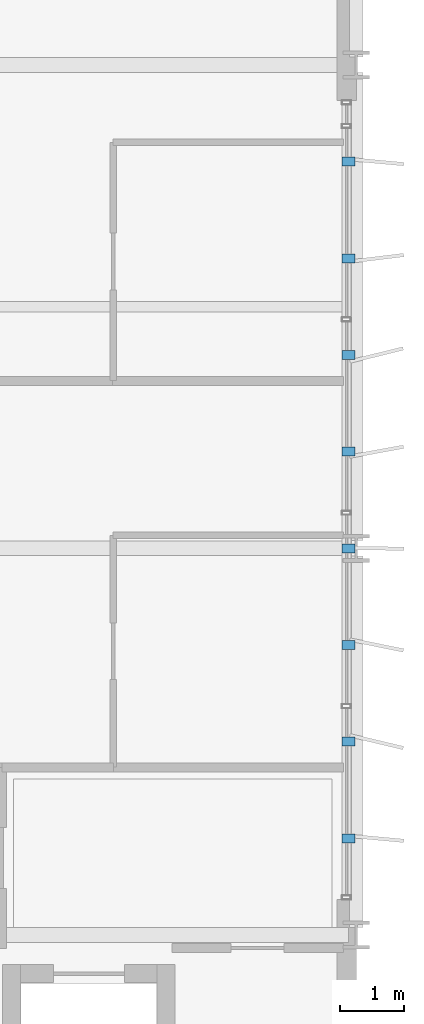
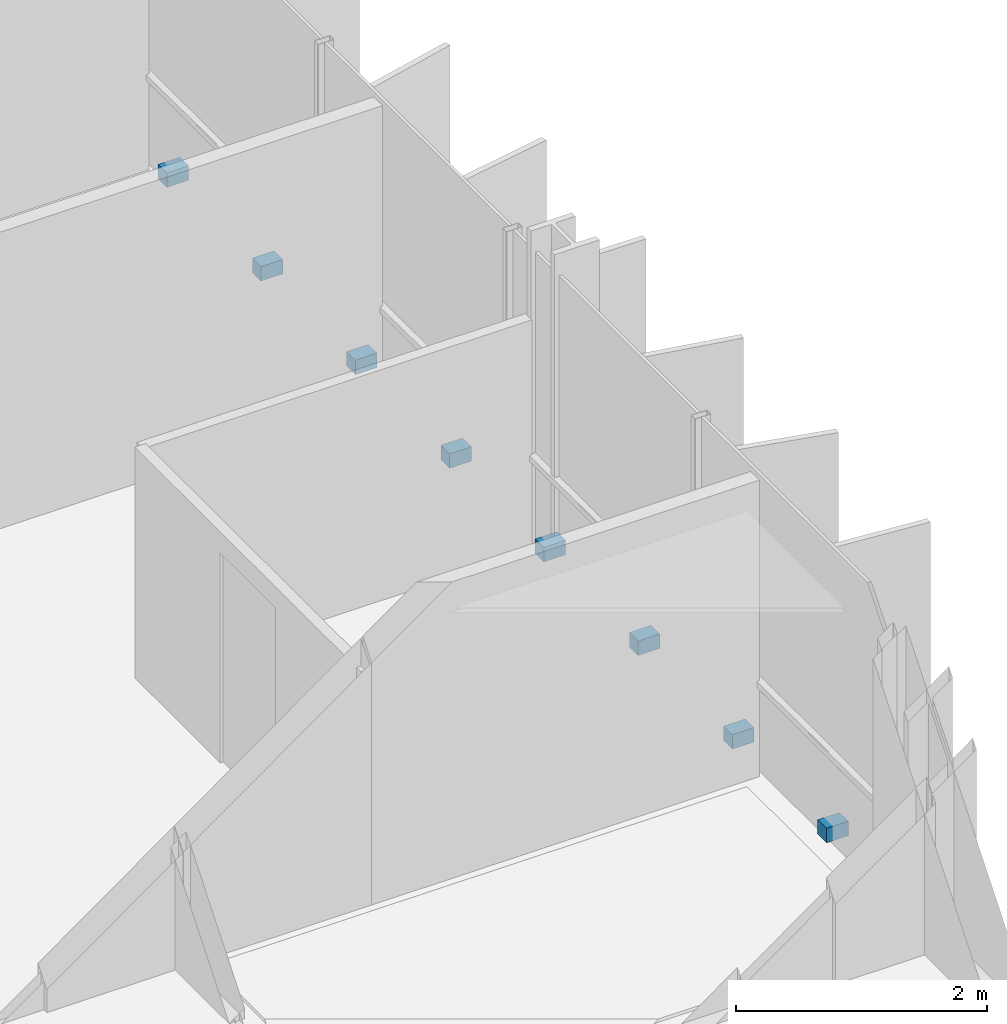
# One storey, part 35 of 38: 8 discrete accessories.
"""IFC4 building model written with IfcOpenShell, lengths in metres."""

from ifc_helpers import new_model, si_unit, direction, frame, origin, origin_2d, place, context, subcontext, project, spatial, rectangle, extrude, material, type_object, element, save


model = new_model("IFC4")

# Units and contexts
model_context = context("Model", 3, precision=1e-05, world=origin(), true_north=direction((0.0, 1.0)))
body_context = subcontext(model_context, "Body", "Model", "MODEL_VIEW")
ifc_project = project(units=[si_unit("LENGTHUNIT", "METRE"), si_unit("AREAUNIT", "SQUARE_METRE"), si_unit("VOLUMEUNIT", "CUBIC_METRE"), si_unit("PLANEANGLEUNIT", "RADIAN"), si_unit("MASSUNIT", "GRAM", prefix="KILO")], contexts=[model_context])

# Site, building, storey
site_placement = place(None, origin())
site = spatial("IfcSite", under=ifc_project, at=site_placement, CompositionType="ELEMENT")
building_placement = place(site_placement, origin())
building = spatial("IfcBuilding", under=site, at=building_placement, Name="Brevholm Reach", CompositionType="ELEMENT")
storey_placement = place(building_placement, frame((0.0, 0.0, 122.10009765625)))
storey = spatial("IfcBuildingStorey", under=building, at=storey_placement, Name="L36", CompositionType="ELEMENT", Elevation=122.10009765625)

# Discrete accessories
ifc_material = material(Name="Duplex Stainless Steel EN 1.4462", Category="steel")
discrete_accessory_type = type_object("IfcDiscreteAccessoryType", Name="ACC-BRK-01", PredefinedType="BRACKET", material=ifc_material)
for number, where, z_axis, x_axis, name in (
    (1, (59.8798828125, 11.5, 0.02978515625), (0.0, 0.0, 1.0), (1.0, 0.0, 0.0), "L36 Solar Screen Support Bracket 1"),
    (2, (59.8798828125, 13.0, 0.02978515625), (0.0, 0.0, 1.0), (1.0, 0.0, 0.0), "L36 Solar Screen Support Bracket 2"),
    (3, (59.8798828125, 14.5, 0.02978515625), (0.0, 0.0, 1.0), (1.0, 0.0, 0.0), "L36 Solar Screen Support Bracket 3"),
    (4, (59.8798828125, 16.0, 0.02978515625), (0.0, 0.0, 1.0), (1.0, 0.0, 0.0), "L36 Solar Screen Support Bracket 4"),
    (5, (59.8798828125, 17.5, 0.02978515625), (0.0, 0.0, 1.0), (1.0, 0.0, 0.0), "L36 Solar Screen Support Bracket 5"),
    (6, (59.8798828125, 19.0, 0.02978515625), (0.0, 0.0, 1.0), (1.0, 0.0, 0.0), "L36 Solar Screen Support Bracket 6"),
    (7, (59.8798828125, 20.5, 0.02978515625), (0.0, 0.0, 1.0), (1.0, 0.0, 0.0), "L36 Solar Screen Support Bracket 7"),
    (8, (59.8798828125, 22.0, 0.02978515625), (0.0, 0.0, 1.0), (1.0, 0.0, 0.0), "L36 Solar Screen Support Bracket 8"),
):
    element("IfcDiscreteAccessory", number, at=place(storey_placement, frame(where, z_axis=z_axis, x_axis=x_axis)), inside=storey, type_object=discrete_accessory_type, Name=name, PredefinedType="BRACKET", context=body_context, shape_type="SweptSolid", body=[
        extrude(rectangle(XDim=0.199951171875, YDim=0.139892578125, at=origin_2d()), origin(), (0.0, 0.0, 1.0), 0.139892578125),
    ])

save(model, "model.ifc")
